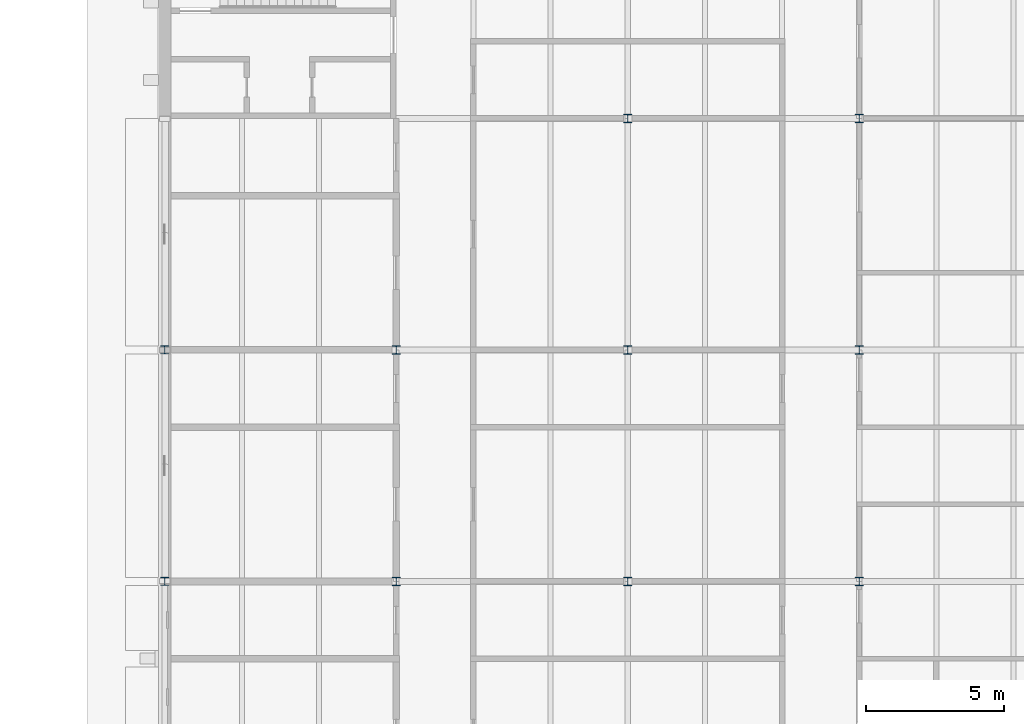
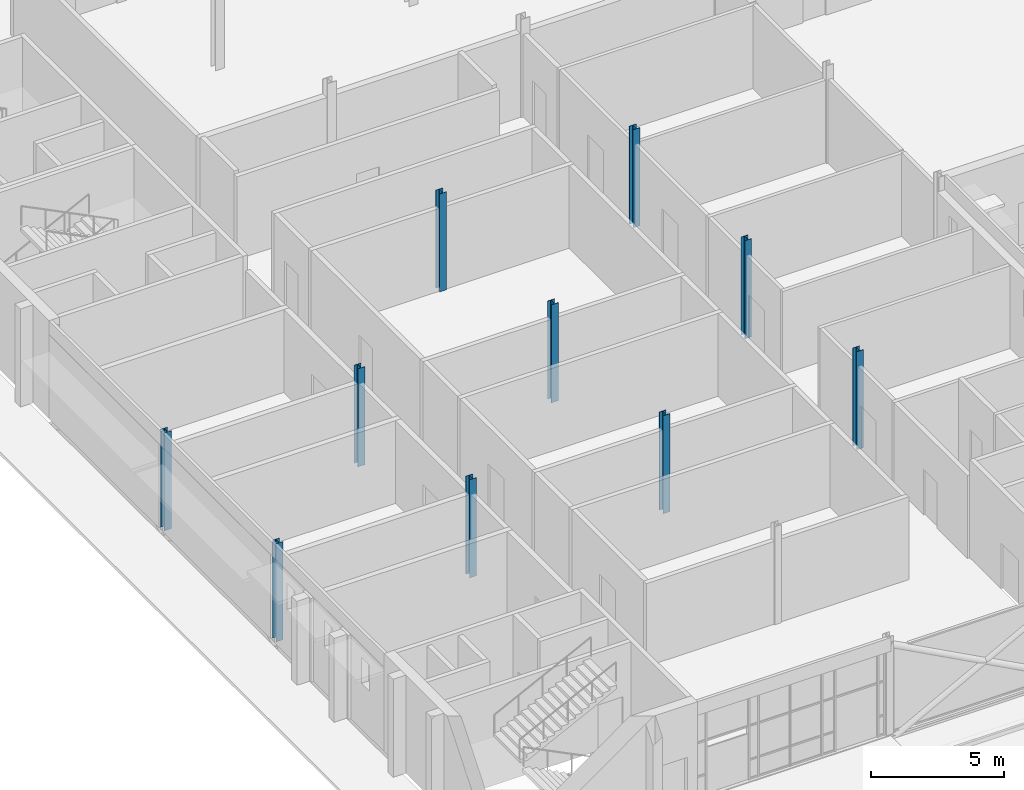
# One storey, part 7 of 116: 10 columns.
"""IFC4 building model written with IfcOpenShell, lengths in metres."""

import ifcopenshell
import ifcopenshell.guid

model = None  # the IFC model being written
_history = None  # IfcOwnerHistory: only IFC2X3 demands one
_inside = {}  # id of a spatial element -> (the spatial element, [elements in it])
_under = {}  # id of a project, library or spatial element -> (it, [spatial elements below it])
_declared = {}  # id of a project -> (the project, [libraries it declares])
_typed = {}  # id of a type object -> (the type object, [elements of that type])
_made_of = {}  # id of a material, layer set ... -> (it, [elements and type objects made of it])


def new_model(schema):
    """Start an empty IFC model of exactly this schema.

    Asked for "IFC4X3", IfcOpenShell would pick the latest addendum, in which some entities
    have other attributes; the version numbers below select the first issue.
    IFC2X3 requires an IfcOwnerHistory on every rooted entity: one is made here for all.
    """
    global model, _history
    if schema == "IFC4X3":
        model = ifcopenshell.file(schema_version=(4, 3, 0, 0))
    else:
        model = ifcopenshell.file(schema=schema)
    _inside.clear()
    _under.clear()
    _declared.clear()
    _typed.clear()
    _made_of.clear()
    _history = None
    if model.schema == "IFC2X3":
        org = make("IfcOrganization", Name="unknown")
        user = make(
            "IfcPersonAndOrganization",
            ThePerson=make("IfcPerson", FamilyName="unknown"),
            TheOrganization=org,
        )
        app = make(
            "IfcApplication",
            ApplicationDeveloper=org,
            Version="unknown",
            ApplicationFullName="unknown",
            ApplicationIdentifier="unknown",
        )
        _history = make(
            "IfcOwnerHistory",
            OwningUser=user,
            OwningApplication=app,
            ChangeAction="ADDED",
            CreationDate=0,
        )
    return model


def make(cls, **values):
    """One entity of the class cls with the attributes given. An attribute that is None is left unset."""
    return model.create_entity(
        cls, **{name: value for name, value in values.items() if value is not None}
    )


def rooted(cls, **values):
    """An entity with a GlobalId (a new one), such as an element, a storey or a relation."""
    return make(cls, GlobalId=ifcopenshell.guid.new(), OwnerHistory=_history, **values)


def si_unit(unit_type, name, prefix=None):
    """IfcSIUnit, for example si_unit("LENGTHUNIT", "METRE", prefix="MILLI")."""
    return make("IfcSIUnit", UnitType=unit_type, Prefix=prefix, Name=name)


def assignment(units):
    """IfcUnitAssignment: the units of a project."""
    return None if units is None else make("IfcUnitAssignment", Units=units)


def point(xyz):
    """IfcCartesianPoint."""
    return None if xyz is None else make("IfcCartesianPoint", Coordinates=xyz)


def direction(xyz):
    """IfcDirection."""
    return None if xyz is None else make("IfcDirection", DirectionRatios=xyz)


def frame(location, z_axis=None, x_axis=None):
    """IfcAxis2Placement3D, a coordinate frame: its origin and axes. An axis left out is left unset."""
    return make(
        "IfcAxis2Placement3D",
        Location=point(location),
        Axis=direction(z_axis),
        RefDirection=direction(x_axis),
    )


def frame_2d(location, x_axis=None):
    """IfcAxis2Placement2D, a coordinate frame in the plane: its origin and x axis."""
    return make(
        "IfcAxis2Placement2D", Location=point(location), RefDirection=direction(x_axis)
    )


def origin():
    """The frame at (0, 0, 0) with its axes left unset."""
    return frame((0.0, 0.0, 0.0))


def origin_2d():
    """The frame at (0, 0) in the plane with its x axis left unset."""
    return frame_2d((0.0, 0.0))


def place(relative_to, where):
    """IfcLocalPlacement: puts the frame where relative to a parent placement (None: the world)."""
    return make(
        "IfcLocalPlacement", PlacementRelTo=relative_to, RelativePlacement=where
    )


def context(
    kind, dimensions, precision=None, world=None, true_north=None, identifier=None
):
    """IfcGeometricRepresentationContext, for example the 3D "Model" context."""
    return make(
        "IfcGeometricRepresentationContext",
        ContextIdentifier=identifier,
        ContextType=kind,
        CoordinateSpaceDimension=dimensions,
        Precision=precision,
        WorldCoordinateSystem=world,
        TrueNorth=true_north,
    )


def subcontext(parent, identifier, kind, view, scale=None):
    """IfcGeometricRepresentationSubContext, for example "Body" below "Model"."""
    return make(
        "IfcGeometricRepresentationSubContext",
        ContextIdentifier=identifier,
        ContextType=kind,
        ParentContext=parent,
        TargetScale=scale,
        TargetView=view,
    )


def project(units=None, contexts=None):
    """IfcProject with its units and contexts."""
    return rooted(
        "IfcProject",
        Name="project",
        RepresentationContexts=contexts,
        UnitsInContext=assignment(units),
    )


def spatial(cls, under=None, at=None, **own):
    """A site, building, storey or space (cls), placed at a placement, below another one or the project."""
    s = rooted(cls, ObjectPlacement=at, **own)
    if under is not None:
        _under.setdefault(under.id(), (under, []))[1].append(s)
    return s


def profile(cls, at=None, kind="AREA", **sizes):
    """A parametric profile (cls). Its sizes go by their IFC names, for example OverallWidth=200.0."""
    return make(cls, ProfileType=kind, Position=at, **sizes)


def i_section(**sizes):
    """IfcIShapeProfileDef."""
    return profile("IfcIShapeProfileDef", **sizes)


def extrude(swept, where, along, depth):
    """IfcExtrudedAreaSolid: the profile swept, set in the frame where, extruded along a direction by depth."""
    return make(
        "IfcExtrudedAreaSolid",
        SweptArea=swept,
        Position=where,
        ExtrudedDirection=direction(along),
        Depth=depth,
    )


def shape(context_of_items, identifier, shape_type, items):
    """IfcShapeRepresentation: the items that make up one representation, for example the "Body"."""
    return make(
        "IfcShapeRepresentation",
        ContextOfItems=context_of_items,
        RepresentationIdentifier=identifier,
        RepresentationType=shape_type,
        Items=items,
    )


def material(Name=None, Category=None):
    """IfcMaterial."""
    return make("IfcMaterial", Name=Name, Category=Category)


def material_profile(
    of_material, cross_section, Name=None, Category=None, Priority=None
):
    """IfcMaterialProfile: a cross section and its material."""
    return make(
        "IfcMaterialProfile",
        Name=Name,
        Material=of_material,
        Profile=cross_section,
        Priority=Priority,
        Category=Category,
    )


def profile_set(profiles, Name=None, composite=None):
    """IfcMaterialProfileSet."""
    return make(
        "IfcMaterialProfileSet",
        Name=Name,
        MaterialProfiles=profiles,
        CompositeProfile=composite,
    )


def made_of(thing, what):
    """Note that an element or type object is made of a material, layer set ...; save() writes the relation."""
    if what is not None:
        _made_of.setdefault(what.id(), (what, []))[1].append(thing)
    return thing


def type_object(cls, material=None, **own):
    """A type object (cls), such as IfcWallType, which elements share."""
    return made_of(rooted(cls, **own), material)


def element(
    cls,
    number,
    at=None,
    inside=None,
    cuts=None,
    type_object=None,
    material=None,
    context=None,
    identifier="Body",
    shape_type=None,
    held_by="IfcProductDefinitionShape",
    body=None,
    shapes=None,
    **own,
):
    """One element of the class cls, such as IfcWall. Its Tag is "e" and its number.

    at: its placement. inside: the storey or other place that contains it. cuts: it is an
    opening in that element (IfcRelVoidsElement). A single representation is given by context,
    identifier, shape_type and body (its items); several are given by shapes. held_by: the class
    of the entity that holds the representations. save() writes the other relations.
    """
    e = rooted(cls, Tag="e%d" % number, ObjectPlacement=at, **own)
    if body is not None:
        shapes = [shape(context, identifier, shape_type, body)]
    if shapes is not None:
        e.Representation = make(held_by, Representations=shapes)
    if inside is not None:
        _inside.setdefault(inside.id(), (inside, []))[1].append(e)
    if cuts is not None:
        rooted(
            "IfcRelVoidsElement", RelatingBuildingElement=cuts, RelatedOpeningElement=e
        )
    if type_object is not None:
        _typed.setdefault(type_object.id(), (type_object, []))[1].append(e)
    return made_of(e, material)


def aggregate(whole, parts):
    """IfcRelAggregates: a whole, such as a stair, and the parts it consists of."""
    return rooted("IfcRelAggregates", RelatingObject=whole, RelatedObjects=parts)


def save(model, path):
    """Write the relations noted so far, then the file.

    IfcRelAggregates (storeys below a building ...), IfcRelContainedInSpatialStructure (elements
    in a storey), IfcRelDefinesByType, IfcRelAssociatesMaterial and IfcRelDeclares: one each for
    every whole, place, type object, material and project.
    """
    for whole, parts in _under.values():
        aggregate(whole, parts)
    for where, things in _inside.values():
        rooted(
            "IfcRelContainedInSpatialStructure",
            RelatedElements=things,
            RelatingStructure=where,
        )
    for kind, things in _typed.values():
        rooted("IfcRelDefinesByType", RelatedObjects=things, RelatingType=kind)
    for what, things in _made_of.values():
        rooted("IfcRelAssociatesMaterial", RelatedObjects=things, RelatingMaterial=what)
    for by, libraries in _declared.values():
        rooted("IfcRelDeclares", RelatingContext=by, RelatedDefinitions=libraries)
    model.write(path)


model = new_model("IFC4")

# Units and contexts
model_context = context("Model", 3, precision=1e-05, world=origin(), true_north=direction((0.0, 1.0)))
body_context = subcontext(model_context, "Body", "Model", "MODEL_VIEW")
ifc_project = project(units=[si_unit("LENGTHUNIT", "METRE"), si_unit("AREAUNIT", "SQUARE_METRE"), si_unit("VOLUMEUNIT", "CUBIC_METRE"), si_unit("PLANEANGLEUNIT", "RADIAN"), si_unit("MASSUNIT", "GRAM", prefix="KILO")], contexts=[model_context])

# Site, building, storey
site_placement = place(None, origin())
site = spatial("IfcSite", under=ifc_project, at=site_placement, CompositionType="ELEMENT")
building_placement = place(site_placement, origin())
building = spatial("IfcBuilding", under=site, at=building_placement, Name="Ardhachandra Cancer Care Centre", CompositionType="ELEMENT")
storey_placement = place(building_placement, origin())
storey = spatial("IfcBuildingStorey", under=building, at=storey_placement, Name="L00", CompositionType="ELEMENT", Elevation=0.0)

# Columns
ifc_material_1 = material(Name="Steel E350 (IS 2062)", Category="steel")
ifc_material_profile_1 = material_profile(ifc_material_1, i_section(OverallWidth=0.300048828125, OverallDepth=0.300048828125, WebThickness=0.010986328125, FlangeThickness=0.01904296875, FilletRadius=0.027099609375, at=origin_2d()), Name="WPB 300x300x117.03")
ifc_profile_set_1 = profile_set([ifc_material_profile_1], Name="Steel E350 (IS 2062)")
column_type_1 = type_object("IfcColumnType", Name="Column WPB 300x300x117.03", PredefinedType="COLUMN", material=ifc_profile_set_1)
for number, where, z_axis, x_axis, name in (
    (1, (19.199951171875, 46.199951171875, 0.0), (0.0, 0.0, 1.0), (1.0, 0.0, 0.0), "Column E2 L00"),
    (2, (27.60009765625, 46.199951171875, 0.0), (0.0, 0.0, 1.0), (1.0, 0.0, 0.0), "Column E3 L00"),
    (3, (36.0, 46.199951171875, 0.0), (0.0, 0.0, 1.0), (1.0, 0.0, 0.0), "Column E4 L00"),
    (4, (19.199951171875, 54.60009765625, 0.0), (0.0, 0.0, 1.0), (1.0, 0.0, 0.0), "Column F2 L00"),
    (5, (27.60009765625, 54.60009765625, 0.0), (0.0, 0.0, 1.0), (1.0, 0.0, 0.0), "Column F3 L00"),
    (6, (36.0, 54.60009765625, 0.0), (0.0, 0.0, 1.0), (1.0, 0.0, 0.0), "Column F4 L00"),
    (7, (27.60009765625, 63.0, 0.0), (0.0, 0.0, 1.0), (1.0, 0.0, 0.0), "Column G3 L00"),
    (8, (36.0, 63.0, 0.0), (0.0, 0.0, 1.0), (1.0, 0.0, 0.0), "Column G4 L00"),
):
    element("IfcColumn", number, at=place(storey_placement, frame(where, z_axis=z_axis, x_axis=x_axis)), inside=storey, type_object=column_type_1, Name=name, PredefinedType="COLUMN", context=body_context, shape_type="SweptSolid", body=[
        extrude(i_section(OverallWidth=0.300048828125, OverallDepth=0.300048828125, WebThickness=0.010986328125, FlangeThickness=0.01904296875, FilletRadius=0.027099609375, at=origin_2d()), origin(), (0.0, 0.0, 1.0), 4.5),
    ])
ifc_material_2 = material(Name="Steel E350 (IS 2062)", Category="steel")
ifc_material_profile_2 = material_profile(ifc_material_2, i_section(OverallWidth=0.300048828125, OverallDepth=0.2900390625, WebThickness=0.008544921875, FlangeThickness=0.013916015625, FilletRadius=0.027099609375, at=origin_2d()), Name="WPB 300x300x88.33")
ifc_profile_set_2 = profile_set([ifc_material_profile_2], Name="Steel E350 (IS 2062)")
column_type_2 = type_object("IfcColumnType", Name="Column WPB 300x300x88.33", PredefinedType="COLUMN", material=ifc_profile_set_2)
for number, where, z_axis, x_axis, name in (
    (9, (10.800048828125, 46.199951171875, 0.0), (0.0, 0.0, 1.0), (1.0, 0.0, 0.0), "Column E1 L00"),
    (10, (10.800048828125, 54.60009765625, 0.0), (0.0, 0.0, 1.0), (1.0, 0.0, 0.0), "Column F1 L00"),
):
    element("IfcColumn", number, at=place(storey_placement, frame(where, z_axis=z_axis, x_axis=x_axis)), inside=storey, type_object=column_type_2, Name=name, PredefinedType="COLUMN", context=body_context, shape_type="SweptSolid", body=[
        extrude(i_section(OverallWidth=0.300048828125, OverallDepth=0.2900390625, WebThickness=0.008544921875, FlangeThickness=0.013916015625, FilletRadius=0.027099609375, at=origin_2d()), origin(), (0.0, 0.0, 1.0), 4.5),
    ])

save(model, "model.ifc")
